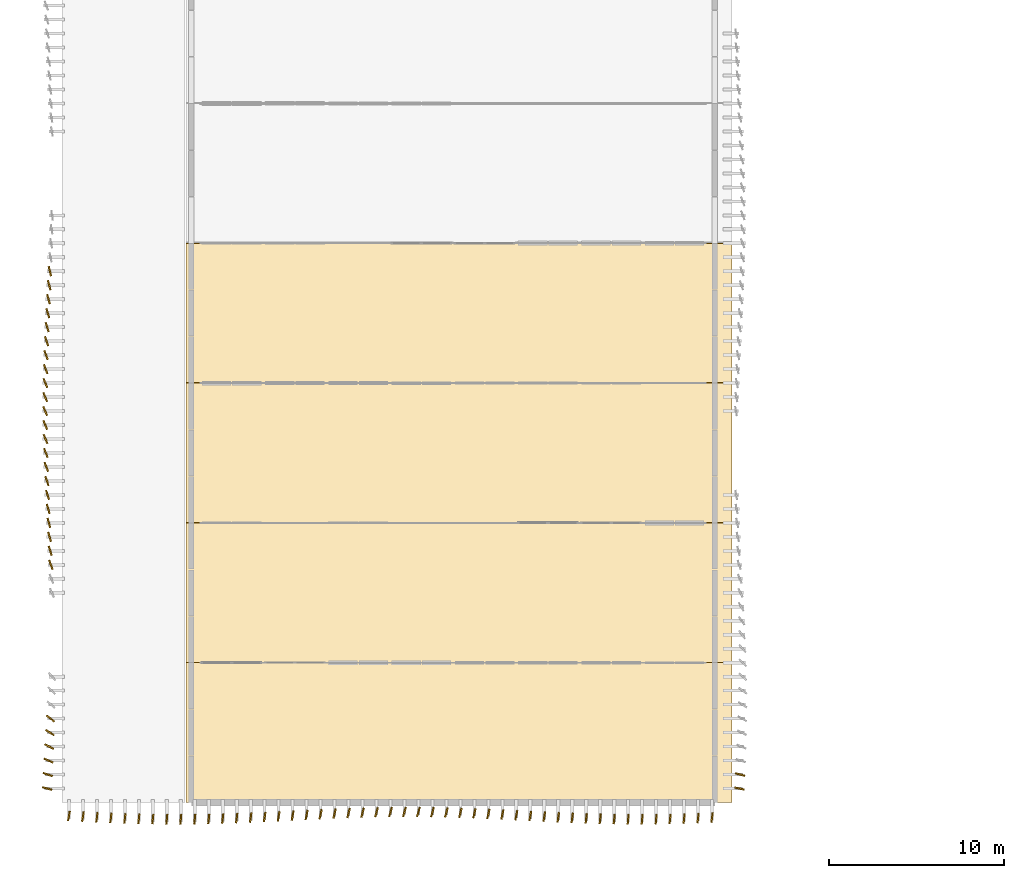
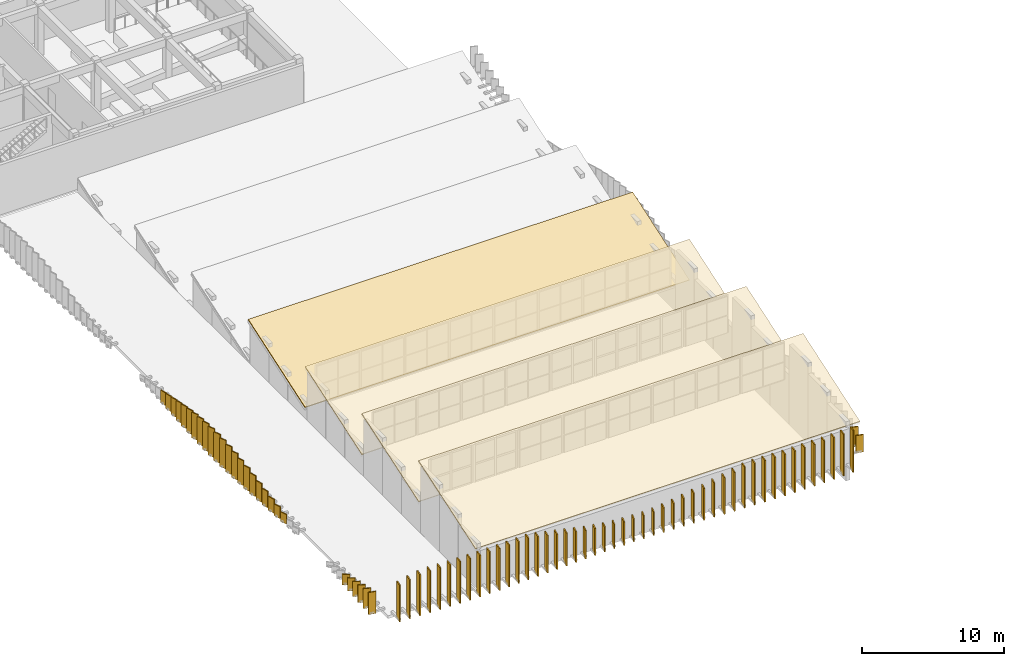
# One storey, part 36 of 45: 81 coverings.
"""IFC4 building model written with IfcOpenShell, lengths in metres."""

from ifc_helpers import new_model, si_unit, direction, frame, origin, origin_2d, place, context, subcontext, project, spatial, polyline, rectangle, outline, extrude, material, layer, layer_set, type_object, element, save


model = new_model("IFC4")

# Units and contexts
model_context = context("Model", 3, precision=1e-05, world=origin(), true_north=direction((0.0, 1.0)))
body_context = subcontext(model_context, "Body", "Model", "MODEL_VIEW")
ifc_project = project(units=[si_unit("LENGTHUNIT", "METRE"), si_unit("AREAUNIT", "SQUARE_METRE"), si_unit("VOLUMEUNIT", "CUBIC_METRE"), si_unit("PLANEANGLEUNIT", "RADIAN"), si_unit("MASSUNIT", "GRAM", prefix="KILO")], contexts=[model_context])

# Site, building, storey
site_placement = place(None, origin())
site = spatial("IfcSite", under=ifc_project, at=site_placement, CompositionType="ELEMENT")
building_placement = place(site_placement, origin())
building = spatial("IfcBuilding", under=site, at=building_placement, Name="Cinchona Park Media Centre", CompositionType="ELEMENT")
storey_placement = place(building_placement, frame((0.0, 0.0, 20.39990234375)))
storey = spatial("IfcBuildingStorey", under=building, at=storey_placement, Name="L04", CompositionType="ELEMENT", Elevation=20.39990234375)

# Coverings
ifc_material_1 = material(Name="Anodised Storm-Resistant Aluminium Fin", Category="aluminium")
ifc_layer_1 = layer(ifc_material_1, 0.090087890625)
ifc_layer_set_1 = layer_set([ifc_layer_1], Name="Anodised Storm-Resistant Aluminium Fin")
covering_type_1 = type_object("IfcCoveringType", Name="CLADDING-FIN01", PredefinedType="CLADDING", material=ifc_layer_set_1)
covering_1_placement = place(storey_placement, frame((7.30908203125, 38.0, 0.0), z_axis=(0.0, 0.0, 1.0), x_axis=(0.225461202458, -0.974252147129, 0.0)))
element("IfcCovering", 1, at=covering_1_placement, inside=storey, type_object=covering_type_1, Name="Twisting Vertical Facade Fin L04", PredefinedType="CLADDING", context=body_context, shape_type="SweptSolid", body=[
    extrude(rectangle(XDim=0.56005859375, YDim=0.090087890625, at=origin_2d()), origin(), (0.0, 0.0, 1.0), 1.097900390625),
])
covering_2_placement = place(storey_placement, frame((7.27001953125, 37.199951171875, 0.0), z_axis=(0.0, 0.0, 1.0), x_axis=(0.247506354292, -0.968886270202, 0.0)))
element("IfcCovering", 2, at=covering_2_placement, inside=storey, type_object=covering_type_1, Name="Twisting Vertical Facade Fin L04", PredefinedType="CLADDING", context=body_context, shape_type="SweptSolid", body=[
    extrude(rectangle(XDim=0.56005859375, YDim=0.090087890625, at=origin_2d()), origin(), (0.0, 0.0, 1.0), 1.298095703125),
])
covering_3_placement = place(storey_placement, frame((7.22998046875, 36.39990234375, 0.0), z_axis=(0.0, 0.0, 1.0), x_axis=(0.270096344686, -0.962833300518, 0.0)))
element("IfcCovering", 3, at=covering_3_placement, inside=storey, type_object=covering_type_1, Name="Twisting Vertical Facade Fin L04", PredefinedType="CLADDING", context=body_context, shape_type="SweptSolid", body=[
    extrude(rectangle(XDim=0.56005859375, YDim=0.090087890625, at=origin_2d()), origin(), (0.0, 0.0, 1.0), 1.501953125),
])
covering_4_placement = place(storey_placement, frame((7.19091796875, 35.60009765625, 0.0), z_axis=(0.0, 0.0, 1.0), x_axis=(0.291870944669, -0.956457710334, 0.0)))
element("IfcCovering", 4, at=covering_4_placement, inside=storey, type_object=covering_type_1, Name="Twisting Vertical Facade Fin L04", PredefinedType="CLADDING", context=body_context, shape_type="SweptSolid", body=[
    extrude(rectangle(XDim=0.56005859375, YDim=0.090087890625, at=origin_2d()), origin(), (0.0, 0.0, 1.0), 1.701904296875),
])
covering_5_placement = place(storey_placement, frame((7.154052734375, 34.800048828125, 0.00048828125), z_axis=(0.0, 0.0, 1.0), x_axis=(0.312500715155, -0.949917524329, 0.0)))
element("IfcCovering", 5, at=covering_5_placement, inside=storey, type_object=covering_type_1, Name="Twisting Vertical Facade Fin L04", PredefinedType="CLADDING", context=body_context, shape_type="SweptSolid", body=[
    extrude(rectangle(XDim=0.56005859375, YDim=0.090087890625, at=origin_2d()), origin(), (0.0, 0.0, 1.0), 1.89111328125),
])
covering_6_placement = place(storey_placement, frame((7.1201171875, 34.0, -0.00048828125), z_axis=(0.0, 0.0, 1.0), x_axis=(0.331008520407, -0.943627765286, 0.0)))
element("IfcCovering", 6, at=covering_6_placement, inside=storey, type_object=covering_type_1, Name="Twisting Vertical Facade Fin L04", PredefinedType="CLADDING", context=body_context, shape_type="SweptSolid", body=[
    extrude(rectangle(XDim=0.56005859375, YDim=0.090087890625, at=origin_2d()), origin(), (0.0, 0.0, 1.0), 2.06298828125),
])
covering_7_placement = place(storey_placement, frame((7.091064453125, 33.199951171875, -0.00048828125), z_axis=(0.0, 0.0, 1.0), x_axis=(0.346771953791, -0.937949472021, 0.0)))
element("IfcCovering", 7, at=covering_7_placement, inside=storey, type_object=covering_type_1, Name="Twisting Vertical Facade Fin L04", PredefinedType="CLADDING", context=body_context, shape_type="SweptSolid", body=[
    extrude(rectangle(XDim=0.56005859375, YDim=0.090087890625, at=origin_2d()), origin(), (0.0, 0.0, 1.0), 2.2109375),
])
covering_8_placement = place(storey_placement, frame((7.068115234375, 32.39990234375, -0.00048828125), z_axis=(0.0, 0.0, 1.0), x_axis=(0.359345396006, -0.933204632634, 0.0)))
element("IfcCovering", 8, at=covering_8_placement, inside=storey, type_object=covering_type_1, Name="Twisting Vertical Facade Fin L04", PredefinedType="CLADDING", context=body_context, shape_type="SweptSolid", body=[
    extrude(rectangle(XDim=0.56005859375, YDim=0.090087890625, at=origin_2d()), origin(), (0.0, 0.0, 1.0), 2.3291015625),
])
covering_9_placement = place(storey_placement, frame((7.052001953125, 31.60009765625, 0.0), z_axis=(0.0, 0.0, 1.0), x_axis=(0.36844908347, -0.929647929536, 0.0)))
element("IfcCovering", 9, at=covering_9_placement, inside=storey, type_object=covering_type_1, Name="Twisting Vertical Facade Fin L04", PredefinedType="CLADDING", context=body_context, shape_type="SweptSolid", body=[
    extrude(rectangle(XDim=0.56005859375, YDim=0.090087890625, at=origin_2d()), origin(), (0.0, 0.0, 1.0), 2.4140625),
])
covering_10_placement = place(storey_placement, frame((7.0419921875, 30.800048828125, 0.000244140625), z_axis=(0.0, 0.0, 1.0), x_axis=(0.373473545352, -0.927640830776, 0.0)))
element("IfcCovering", 10, at=covering_10_placement, inside=storey, type_object=covering_type_1, Name="Twisting Vertical Facade Fin L04", PredefinedType="CLADDING", context=body_context, shape_type="SweptSolid", body=[
    extrude(rectangle(XDim=0.56005859375, YDim=0.090087890625, at=origin_2d()), origin(), (0.0, 0.0, 1.0), 2.4619140625),
])
covering_11_placement = place(storey_placement, frame((7.0400390625, 30.0, 0.00048828125), z_axis=(0.0, 0.0, 1.0), x_axis=(0.374444763601, -0.927249221629, 0.0)))
element("IfcCovering", 11, at=covering_11_placement, inside=storey, type_object=covering_type_1, Name="Twisting Vertical Facade Fin L04", PredefinedType="CLADDING", context=body_context, shape_type="SweptSolid", body=[
    extrude(rectangle(XDim=0.56005859375, YDim=0.090087890625, at=origin_2d()), origin(), (0.0, 0.0, 1.0), 2.470947265625),
])
covering_12_placement = place(storey_placement, frame((7.0458984375, 29.199951171875, 0.000244140625), z_axis=(0.0, 0.0, 1.0), x_axis=(0.37136783555, -0.928485826881, 0.0)))
element("IfcCovering", 12, at=covering_12_placement, inside=storey, type_object=covering_type_1, Name="Twisting Vertical Facade Fin L04", PredefinedType="CLADDING", context=body_context, shape_type="SweptSolid", body=[
    extrude(rectangle(XDim=0.56005859375, YDim=0.090087890625, at=origin_2d()), origin(), (0.0, 0.0, 1.0), 2.44189453125),
])
covering_13_placement = place(storey_placement, frame((7.05908203125, 28.39990234375, 0.0), z_axis=(0.0, 0.0, 1.0), x_axis=(0.364389234658, -0.931246737264, 0.0)))
element("IfcCovering", 13, at=covering_13_placement, inside=storey, type_object=covering_type_1, Name="Twisting Vertical Facade Fin L04", PredefinedType="CLADDING", context=body_context, shape_type="SweptSolid", body=[
    extrude(rectangle(XDim=0.56005859375, YDim=0.090087890625, at=origin_2d()), origin(), (0.0, 0.0, 1.0), 2.3759765625),
])
covering_14_placement = place(storey_placement, frame((7.0791015625, 27.60009765625, 0.000244140625), z_axis=(0.0, 0.0, 1.0), x_axis=(0.353474843779, -0.93544403083, 0.0)))
element("IfcCovering", 14, at=covering_14_placement, inside=storey, type_object=covering_type_1, Name="Twisting Vertical Facade Fin L04", PredefinedType="CLADDING", context=body_context, shape_type="SweptSolid", body=[
    extrude(rectangle(XDim=0.56005859375, YDim=0.090087890625, at=origin_2d()), origin(), (0.0, 0.0, 1.0), 2.27392578125),
])
covering_15_placement = place(storey_placement, frame((7.10498046875, 26.800048828125, 0.0), z_axis=(0.0, 0.0, 1.0), x_axis=(0.339230517808, -0.940703277228, 0.0)))
element("IfcCovering", 15, at=covering_15_placement, inside=storey, type_object=covering_type_1, Name="Twisting Vertical Facade Fin L04", PredefinedType="CLADDING", context=body_context, shape_type="SweptSolid", body=[
    extrude(rectangle(XDim=0.56005859375, YDim=0.090087890625, at=origin_2d()), origin(), (0.0, 0.0, 1.0), 2.139892578125),
])
covering_16_placement = place(storey_placement, frame((7.135986328125, 26.0, 0.0), z_axis=(0.0, 0.0, 1.0), x_axis=(0.321935232675, -0.946761694389, 0.0)))
element("IfcCovering", 16, at=covering_16_placement, inside=storey, type_object=covering_type_1, Name="Twisting Vertical Facade Fin L04", PredefinedType="CLADDING", context=body_context, shape_type="SweptSolid", body=[
    extrude(rectangle(XDim=0.56005859375, YDim=0.090087890625, at=origin_2d()), origin(), (0.0, 0.0, 1.0), 1.97998046875),
])
covering_17_placement = place(storey_placement, frame((7.172119140625, 25.199951171875, 0.00048828125), z_axis=(0.0, 0.0, 1.0), x_axis=(0.30236989075, -0.953190667793, 0.0)))
element("IfcCovering", 17, at=covering_17_placement, inside=storey, type_object=covering_type_1, Name="Twisting Vertical Facade Fin L04", PredefinedType="CLADDING", context=body_context, shape_type="SweptSolid", body=[
    extrude(rectangle(XDim=0.56005859375, YDim=0.090087890625, at=origin_2d()), origin(), (0.0, 0.0, 1.0), 1.799072265625),
])
covering_18_placement = place(storey_placement, frame((7.2099609375, 24.39990234375, -0.00048828125), z_axis=(0.0, 0.0, 1.0), x_axis=(0.281001727065, -0.959707262339, 0.0)))
element("IfcCovering", 18, at=covering_18_placement, inside=storey, type_object=covering_type_1, Name="Twisting Vertical Facade Fin L04", PredefinedType="CLADDING", context=body_context, shape_type="SweptSolid", body=[
    extrude(rectangle(XDim=0.56005859375, YDim=0.090087890625, at=origin_2d()), origin(), (0.0, 0.0, 1.0), 1.60302734375),
])
covering_19_placement = place(storey_placement, frame((7.25, 23.60009765625, 0.000244140625), z_axis=(0.0, 0.0, 1.0), x_axis=(0.258819045103, -0.965925826289, 0.0)))
element("IfcCovering", 19, at=covering_19_placement, inside=storey, type_object=covering_type_1, Name="Twisting Vertical Facade Fin L04", PredefinedType="CLADDING", context=body_context, shape_type="SweptSolid", body=[
    extrude(rectangle(XDim=0.56005859375, YDim=0.090087890625, at=origin_2d()), origin(), (0.0, 0.0, 1.0), 1.39990234375),
])
covering_20_placement = place(storey_placement, frame((7.2900390625, 22.800048828125, -0.00048828125), z_axis=(0.0, 0.0, 1.0), x_axis=(0.277985336053, -0.960585317887, 0.0)))
element("IfcCovering", 20, at=covering_20_placement, inside=storey, type_object=covering_type_1, Name="Twisting Vertical Facade Fin L04", PredefinedType="CLADDING", context=body_context, shape_type="SweptSolid", body=[
    extrude(rectangle(XDim=0.56005859375, YDim=0.090087890625, at=origin_2d()), origin(), (0.0, 0.0, 1.0), 1.197021484375),
])
covering_21_placement = place(storey_placement, frame((7.327880859375, 22.0, 0.00048828125), z_axis=(0.0, 0.0, 1.0), x_axis=(0.306692204733, -0.951808747363, 0.0)))
element("IfcCovering", 21, at=covering_21_placement, inside=storey, type_object=covering_type_1, Name="Twisting Vertical Facade Fin L04", PredefinedType="CLADDING", context=body_context, shape_type="SweptSolid", body=[
    extrude(rectangle(XDim=0.56005859375, YDim=0.090087890625, at=origin_2d()), origin(), (0.0, 0.0, 1.0), 1.0009765625),
])
covering_22_placement = place(storey_placement, frame((7.364013671875, 21.199951171875, 0.0), z_axis=(0.0, 0.0, 1.0), x_axis=(0.336766602676, -0.941588155895, 0.0)))
element("IfcCovering", 22, at=covering_22_placement, inside=storey, type_object=covering_type_1, Name="Twisting Vertical Facade Fin L04", PredefinedType="CLADDING", context=body_context, shape_type="SweptSolid", body=[
    extrude(rectangle(XDim=0.56005859375, YDim=0.090087890625, at=origin_2d()), origin(), (0.0, 0.0, 1.0), 0.820068359375),
])
covering_23_placement = place(storey_placement, frame((7.345947265625, 12.39990234375, 0.00048828125), z_axis=(0.0, 0.0, 1.0), x_axis=(0.801566984871, -0.597904983058, 0.0)))
element("IfcCovering", 23, at=covering_23_placement, inside=storey, type_object=covering_type_1, Name="Twisting Vertical Facade Fin L04", PredefinedType="CLADDING", context=body_context, shape_type="SweptSolid", body=[
    extrude(rectangle(XDim=0.56005859375, YDim=0.090087890625, at=origin_2d()), origin(), (0.0, 0.0, 1.0), 0.908935546875),
])
covering_24_placement = place(storey_placement, frame((7.30908203125, 11.60009765625, 0.0), z_axis=(0.0, 0.0, 1.0), x_axis=(0.843578947371, -0.537005176466, 0.0)))
element("IfcCovering", 24, at=covering_24_placement, inside=storey, type_object=covering_type_1, Name="Twisting Vertical Facade Fin L04", PredefinedType="CLADDING", context=body_context, shape_type="SweptSolid", body=[
    extrude(rectangle(XDim=0.56005859375, YDim=0.090087890625, at=origin_2d()), origin(), (0.0, 0.0, 1.0), 1.097900390625),
])
covering_25_placement = place(storey_placement, frame((7.27001953125, 10.800048828125, 0.0), z_axis=(0.0, 0.0, 1.0), x_axis=(0.881550758248, -0.472089250705, 0.0)))
element("IfcCovering", 25, at=covering_25_placement, inside=storey, type_object=covering_type_1, Name="Twisting Vertical Facade Fin L04", PredefinedType="CLADDING", context=body_context, shape_type="SweptSolid", body=[
    extrude(rectangle(XDim=0.56005859375, YDim=0.090087890625, at=origin_2d()), origin(), (0.0, 0.0, 1.0), 1.298095703125),
])
covering_26_placement = place(storey_placement, frame((7.22998046875, 10.0, 0.0), z_axis=(0.0, 0.0, 1.0), x_axis=(0.914677717139, -0.404183960308, 0.0)))
element("IfcCovering", 26, at=covering_26_placement, inside=storey, type_object=covering_type_1, Name="Twisting Vertical Facade Fin L04", PredefinedType="CLADDING", context=body_context, shape_type="SweptSolid", body=[
    extrude(rectangle(XDim=0.56005859375, YDim=0.090087890625, at=origin_2d()), origin(), (0.0, 0.0, 1.0), 1.501953125),
])
covering_27_placement = place(storey_placement, frame((7.19091796875, 9.199951171875, 0.0), z_axis=(0.0, 0.0, 1.0), x_axis=(0.942466581022, -0.334300379384, 0.0)))
element("IfcCovering", 27, at=covering_27_placement, inside=storey, type_object=covering_type_1, Name="Twisting Vertical Facade Fin L04", PredefinedType="CLADDING", context=body_context, shape_type="SweptSolid", body=[
    extrude(rectangle(XDim=0.56005859375, YDim=0.090087890625, at=origin_2d()), origin(), (0.0, 0.0, 1.0), 1.701904296875),
])
covering_28_placement = place(storey_placement, frame((7.154052734375, 8.39990234375, 0.00048828125), z_axis=(0.0, 0.0, 1.0), x_axis=(0.964603458302, -0.263704698919, 0.0)))
element("IfcCovering", 28, at=covering_28_placement, inside=storey, type_object=covering_type_1, Name="Twisting Vertical Facade Fin L04", PredefinedType="CLADDING", context=body_context, shape_type="SweptSolid", body=[
    extrude(rectangle(XDim=0.56005859375, YDim=0.090087890625, at=origin_2d()), origin(), (0.0, 0.0, 1.0), 1.89111328125),
])
covering_29_placement = place(storey_placement, frame((8.39990234375, 6.830078125, 0.0), z_axis=(0.0, 0.0, 1.0), x_axis=(0.182578735093, 0.983191235463, 0.0)))
element("IfcCovering", 29, at=covering_29_placement, inside=storey, type_object=covering_type_1, Name="Twisting Vertical Facade Fin L04", PredefinedType="CLADDING", context=body_context, shape_type="SweptSolid", body=[
    extrude(rectangle(XDim=0.56005859375, YDim=0.090087890625, at=origin_2d()), origin(), (0.0, 0.0, 1.0), 3.152099609375),
])
covering_30_placement = place(storey_placement, frame((9.199951171875, 6.791015625, 0.0), z_axis=(0.0, 0.0, 1.0), x_axis=(0.166596655404, 0.98602512869, 0.0)))
element("IfcCovering", 30, at=covering_30_placement, inside=storey, type_object=covering_type_1, Name="Twisting Vertical Facade Fin L04", PredefinedType="CLADDING", context=body_context, shape_type="SweptSolid", body=[
    extrude(rectangle(XDim=0.56005859375, YDim=0.090087890625, at=origin_2d()), origin(), (0.0, 0.0, 1.0), 3.35205078125),
])
covering_31_placement = place(storey_placement, frame((10.0, 6.75390625, -0.00048828125), z_axis=(0.0, 0.0, 1.0), x_axis=(0.151433342672, 0.98846747176, 0.0)))
element("IfcCovering", 31, at=covering_31_placement, inside=storey, type_object=covering_type_1, Name="Twisting Vertical Facade Fin L04", PredefinedType="CLADDING", context=body_context, shape_type="SweptSolid", body=[
    extrude(rectangle(XDim=0.56005859375, YDim=0.090087890625, at=origin_2d()), origin(), (0.0, 0.0, 1.0), 3.541015625),
])
for number, where, z_axis, x_axis, name in (
    (32, (10.800048828125, 6.719970703125, 0.0), (0.0, 0.0, 1.0), (0.137617420457, 0.990485459553, 0.0), "Twisting Vertical Facade Fin L04"),
    (33, (11.60009765625, 6.69091796875, 0.0), (0.0, 0.0, 1.0), (0.125679539283, 0.992070891321, 0.0), "Twisting Vertical Facade Fin L04"),
    (34, (12.39990234375, 6.66796875, 0.0), (0.0, 0.0, 1.0), (0.116150698194, 0.993231602049, 0.0), "Twisting Vertical Facade Fin L04"),
    (35, (13.199951171875, 6.652099609375, 0.0), (0.0, 0.0, 1.0), (0.109213859333, 0.994018275953, 0.0), "Twisting Vertical Facade Fin L04"),
    (36, (14.0, 6.64208984375, 0.0), (0.0, 0.0, 1.0), (0.105396307434, 0.994430298402, 0.0), "Twisting Vertical Facade Fin L04"),
    (37, (14.800048828125, 6.639892578125, 0.0), (0.0, 0.0, 1.0), (0.10470203849, 0.994503636562, 0.0), "Twisting Vertical Facade Fin L04"),
    (38, (15.60009765625, 6.64599609375, 0.0), (0.0, 0.0, 1.0), (0.106958224224, 0.994263515508, 0.0), "Twisting Vertical Facade Fin L04"),
    (39, (16.39990234375, 6.658935546875, 0.0), (0.0, 0.0, 1.0), (0.112336115762, 0.99367026578, 0.0), "Twisting Vertical Facade Fin L04"),
    (40, (17.199951171875, 6.678955078125, 0.0), (0.0, 0.0, 1.0), (0.120656628871, 0.992694302346, 0.0), "Twisting Vertical Facade Fin L04"),
    (41, (18.0, 6.705078125, 0.0), (0.0, 0.0, 1.0), (0.131391341269, 0.991330578283, 0.0), "Twisting Vertical Facade Fin L04"),
    (42, (18.800048828125, 6.736083984375, 0.0), (0.0, 0.0, 1.0), (0.144356201001, 0.989525789069, 0.0), "Twisting Vertical Facade Fin L04"),
):
    element("IfcCovering", number, at=place(storey_placement, frame(where, z_axis=z_axis, x_axis=x_axis)), inside=storey, type_object=covering_type_1, Name=name, PredefinedType="CLADDING", context=body_context, shape_type="SweptSolid", body=[
        extrude(rectangle(XDim=0.56005859375, YDim=0.090087890625, at=origin_2d()), origin(), (0.0, 0.0, 1.0), 3.60009765625),
    ])
covering_32_placement = place(storey_placement, frame((19.60009765625, 6.77197265625, -0.00048828125), z_axis=(0.0, 0.0, 1.0), x_axis=(0.158847373537, 0.987303150973, 0.0)))
element("IfcCovering", 43, at=covering_32_placement, inside=storey, type_object=covering_type_1, Name="Twisting Vertical Facade Fin L04", PredefinedType="CLADDING", context=body_context, shape_type="SweptSolid", body=[
    extrude(rectangle(XDim=0.56005859375, YDim=0.090087890625, at=origin_2d()), origin(), (0.0, 0.0, 1.0), 3.448974609375),
])
covering_33_placement = place(storey_placement, frame((20.39990234375, 6.81005859375, -0.00048828125), z_axis=(0.0, 0.0, 1.0), x_axis=(0.174507518327, 0.984655841422, 0.0)))
element("IfcCovering", 44, at=covering_33_placement, inside=storey, type_object=covering_type_1, Name="Twisting Vertical Facade Fin L04", PredefinedType="CLADDING", context=body_context, shape_type="SweptSolid", body=[
    extrude(rectangle(XDim=0.56005859375, YDim=0.090087890625, at=origin_2d()), origin(), (0.0, 0.0, 1.0), 3.2529296875),
])
covering_34_placement = place(storey_placement, frame((21.199951171875, 6.85009765625, 0.0), z_axis=(0.0, 0.0, 1.0), x_axis=(0.190808995377, 0.981627183448, 0.0)))
element("IfcCovering", 45, at=covering_34_placement, inside=storey, type_object=covering_type_1, Name="Twisting Vertical Facade Fin L04", PredefinedType="CLADDING", context=body_context, shape_type="SweptSolid", body=[
    extrude(rectangle(XDim=0.56005859375, YDim=0.090087890625, at=origin_2d()), origin(), (0.0, 0.0, 1.0), 3.050048828125),
])
covering_35_placement = place(storey_placement, frame((22.0, 6.889892578125, -0.00048828125), z_axis=(0.0, 0.0, 1.0), x_axis=(0.207058016949, 0.978328665438, 0.0)))
element("IfcCovering", 46, at=covering_35_placement, inside=storey, type_object=covering_type_1, Name="Twisting Vertical Facade Fin L04", PredefinedType="CLADDING", context=body_context, shape_type="SweptSolid", body=[
    extrude(rectangle(XDim=0.56005859375, YDim=0.090087890625, at=origin_2d()), origin(), (0.0, 0.0, 1.0), 2.846923828125),
])
covering_36_placement = place(storey_placement, frame((22.800048828125, 6.927978515625, -0.000244140625), z_axis=(0.0, 0.0, 1.0), x_axis=(0.222569549971, 0.974916814618, 0.0)))
element("IfcCovering", 47, at=covering_36_placement, inside=storey, type_object=covering_type_1, Name="Twisting Vertical Facade Fin L04", PredefinedType="CLADDING", context=body_context, shape_type="SweptSolid", body=[
    extrude(rectangle(XDim=0.56005859375, YDim=0.090087890625, at=origin_2d()), origin(), (0.0, 0.0, 1.0), 2.65087890625),
])
covering_37_placement = place(storey_placement, frame((23.60009765625, 6.964111328125, 0.0), z_axis=(0.0, 0.0, 1.0), x_axis=(0.236838146066, 0.971549119998, 0.0)))
element("IfcCovering", 48, at=covering_37_placement, inside=storey, type_object=covering_type_1, Name="Twisting Vertical Facade Fin L04", PredefinedType="CLADDING", context=body_context, shape_type="SweptSolid", body=[
    extrude(rectangle(XDim=0.56005859375, YDim=0.090087890625, at=origin_2d()), origin(), (0.0, 0.0, 1.0), 2.469970703125),
])
covering_38_placement = place(storey_placement, frame((24.39990234375, 6.9951171875, 0.0), z_axis=(0.0, 0.0, 1.0), x_axis=(0.249535040626, 0.96836576948, 0.0)))
element("IfcCovering", 49, at=covering_38_placement, inside=storey, type_object=covering_type_1, Name="Twisting Vertical Facade Fin L04", PredefinedType="CLADDING", context=body_context, shape_type="SweptSolid", body=[
    extrude(rectangle(XDim=0.56005859375, YDim=0.090087890625, at=origin_2d()), origin(), (0.0, 0.0, 1.0), 2.31005859375),
])
covering_39_placement = place(storey_placement, frame((25.199951171875, 7.02099609375, 0.0), z_axis=(0.0, 0.0, 1.0), x_axis=(0.259998952669, 0.96560889837, 0.0)))
element("IfcCovering", 50, at=covering_39_placement, inside=storey, type_object=covering_type_1, Name="Twisting Vertical Facade Fin L04", PredefinedType="CLADDING", context=body_context, shape_type="SweptSolid", body=[
    extrude(rectangle(XDim=0.56005859375, YDim=0.090087890625, at=origin_2d()), origin(), (0.0, 0.0, 1.0), 2.176025390625),
])
covering_40_placement = place(storey_placement, frame((26.0, 7.041015625, 0.0), z_axis=(0.0, 0.0, 1.0), x_axis=(0.268079200424, 0.963396876837, 0.0)))
element("IfcCovering", 51, at=covering_40_placement, inside=storey, type_object=covering_type_1, Name="Twisting Vertical Facade Fin L04", PredefinedType="CLADDING", context=body_context, shape_type="SweptSolid", body=[
    extrude(rectangle(XDim=0.56005859375, YDim=0.090087890625, at=origin_2d()), origin(), (0.0, 0.0, 1.0), 2.073974609375),
])
covering_41_placement = place(storey_placement, frame((26.800048828125, 7.053955078125, 0.0), z_axis=(0.0, 0.0, 1.0), x_axis=(0.273287729889, 0.961932334778, 0.0)))
element("IfcCovering", 52, at=covering_41_placement, inside=storey, type_object=covering_type_1, Name="Twisting Vertical Facade Fin L04", PredefinedType="CLADDING", context=body_context, shape_type="SweptSolid", body=[
    extrude(rectangle(XDim=0.56005859375, YDim=0.090087890625, at=origin_2d()), origin(), (0.0, 0.0, 1.0), 2.008056640625),
])
covering_42_placement = place(storey_placement, frame((27.60009765625, 7.06005859375, -0.00048828125), z_axis=(0.0, 0.0, 1.0), x_axis=(0.275469579804, 0.961309789091, 0.0)))
element("IfcCovering", 53, at=covering_42_placement, inside=storey, type_object=covering_type_1, Name="Twisting Vertical Facade Fin L04", PredefinedType="CLADDING", context=body_context, shape_type="SweptSolid", body=[
    extrude(rectangle(XDim=0.56005859375, YDim=0.090087890625, at=origin_2d()), origin(), (0.0, 0.0, 1.0), 1.97900390625),
])
covering_43_placement = place(storey_placement, frame((28.39990234375, 7.05810546875, 0.0), z_axis=(0.0, 0.0, 1.0), x_axis=(0.27479839189, 0.961501868857, 0.0)))
element("IfcCovering", 54, at=covering_43_placement, inside=storey, type_object=covering_type_1, Name="Twisting Vertical Facade Fin L04", PredefinedType="CLADDING", context=body_context, shape_type="SweptSolid", body=[
    extrude(rectangle(XDim=0.56005859375, YDim=0.090087890625, at=origin_2d()), origin(), (0.0, 0.0, 1.0), 1.988037109375),
])
covering_44_placement = place(storey_placement, frame((29.199951171875, 7.048095703125, 0.0), z_axis=(0.0, 0.0, 1.0), x_axis=(0.271104473079, 0.962549928407, 0.0)))
element("IfcCovering", 55, at=covering_44_placement, inside=storey, type_object=covering_type_1, Name="Twisting Vertical Facade Fin L04", PredefinedType="CLADDING", context=body_context, shape_type="SweptSolid", body=[
    extrude(rectangle(XDim=0.56005859375, YDim=0.090087890625, at=origin_2d()), origin(), (0.0, 0.0, 1.0), 2.035888671875),
])
covering_45_placement = place(storey_placement, frame((30.0, 7.031982421875, -0.00048828125), z_axis=(0.0, 0.0, 1.0), x_axis=(0.264378054854, 0.964419122639, 0.0)))
element("IfcCovering", 56, at=covering_45_placement, inside=storey, type_object=covering_type_1, Name="Twisting Vertical Facade Fin L04", PredefinedType="CLADDING", context=body_context, shape_type="SweptSolid", body=[
    extrude(rectangle(XDim=0.56005859375, YDim=0.090087890625, at=origin_2d()), origin(), (0.0, 0.0, 1.0), 2.12109375),
])
covering_46_placement = place(storey_placement, frame((30.800048828125, 7.009033203125, 0.00048828125), z_axis=(0.0, 0.0, 1.0), x_axis=(0.255108257352, 0.966912497091, 0.0)))
element("IfcCovering", 57, at=covering_46_placement, inside=storey, type_object=covering_type_1, Name="Twisting Vertical Facade Fin L04", PredefinedType="CLADDING", context=body_context, shape_type="SweptSolid", body=[
    extrude(rectangle(XDim=0.56005859375, YDim=0.090087890625, at=origin_2d()), origin(), (0.0, 0.0, 1.0), 2.239013671875),
])
covering_47_placement = place(storey_placement, frame((31.60009765625, 6.97998046875, -0.00048828125), z_axis=(0.0, 0.0, 1.0), x_axis=(0.243445733477, 0.969914519353, 0.0)))
element("IfcCovering", 58, at=covering_47_placement, inside=storey, type_object=covering_type_1, Name="Twisting Vertical Facade Fin L04", PredefinedType="CLADDING", context=body_context, shape_type="SweptSolid", body=[
    extrude(rectangle(XDim=0.56005859375, YDim=0.090087890625, at=origin_2d()), origin(), (0.0, 0.0, 1.0), 2.386962890625),
])
covering_48_placement = place(storey_placement, frame((32.39990234375, 6.946044921875, -0.00048828125), z_axis=(0.0, 0.0, 1.0), x_axis=(0.22987988193, 0.973219009208, 0.0)))
element("IfcCovering", 59, at=covering_48_placement, inside=storey, type_object=covering_type_1, Name="Twisting Vertical Facade Fin L04", PredefinedType="CLADDING", context=body_context, shape_type="SweptSolid", body=[
    extrude(rectangle(XDim=0.56005859375, YDim=0.090087890625, at=origin_2d()), origin(), (0.0, 0.0, 1.0), 2.55908203125),
])
covering_49_placement = place(storey_placement, frame((33.199951171875, 6.908935546875, 0.0), z_axis=(0.0, 0.0, 1.0), x_axis=(0.214905785365, 0.976634785074, 0.0)))
element("IfcCovering", 60, at=covering_49_placement, inside=storey, type_object=covering_type_1, Name="Twisting Vertical Facade Fin L04", PredefinedType="CLADDING", context=body_context, shape_type="SweptSolid", body=[
    extrude(rectangle(XDim=0.56005859375, YDim=0.090087890625, at=origin_2d()), origin(), (0.0, 0.0, 1.0), 2.748046875),
])
covering_50_placement = place(storey_placement, frame((34.0, 6.8701171875, 0.0), z_axis=(0.0, 0.0, 1.0), x_axis=(0.199025864028, 0.979994237457, 0.0)))
element("IfcCovering", 61, at=covering_50_placement, inside=storey, type_object=covering_type_1, Name="Twisting Vertical Facade Fin L04", PredefinedType="CLADDING", context=body_context, shape_type="SweptSolid", body=[
    extrude(rectangle(XDim=0.56005859375, YDim=0.090087890625, at=origin_2d()), origin(), (0.0, 0.0, 1.0), 2.947998046875),
])
covering_51_placement = place(storey_placement, frame((34.800048828125, 6.830078125, 0.0), z_axis=(0.0, 0.0, 1.0), x_axis=(0.182578735093, 0.983191235463, 0.0)))
element("IfcCovering", 62, at=covering_51_placement, inside=storey, type_object=covering_type_1, Name="Twisting Vertical Facade Fin L04", PredefinedType="CLADDING", context=body_context, shape_type="SweptSolid", body=[
    extrude(rectangle(XDim=0.56005859375, YDim=0.090087890625, at=origin_2d()), origin(), (0.0, 0.0, 1.0), 3.152099609375),
])
covering_52_placement = place(storey_placement, frame((35.60009765625, 6.791015625, 0.0), z_axis=(0.0, 0.0, 1.0), x_axis=(0.166596655404, 0.98602512869, 0.0)))
element("IfcCovering", 63, at=covering_52_placement, inside=storey, type_object=covering_type_1, Name="Twisting Vertical Facade Fin L04", PredefinedType="CLADDING", context=body_context, shape_type="SweptSolid", body=[
    extrude(rectangle(XDim=0.56005859375, YDim=0.090087890625, at=origin_2d()), origin(), (0.0, 0.0, 1.0), 3.35205078125),
])
covering_53_placement = place(storey_placement, frame((36.39990234375, 6.75390625, -0.00048828125), z_axis=(0.0, 0.0, 1.0), x_axis=(0.151433342672, 0.98846747176, 0.0)))
element("IfcCovering", 64, at=covering_53_placement, inside=storey, type_object=covering_type_1, Name="Twisting Vertical Facade Fin L04", PredefinedType="CLADDING", context=body_context, shape_type="SweptSolid", body=[
    extrude(rectangle(XDim=0.56005859375, YDim=0.090087890625, at=origin_2d()), origin(), (0.0, 0.0, 1.0), 3.541015625),
])
for number, where, z_axis, x_axis, name in (
    (65, (37.199951171875, 6.719970703125, 0.0), (0.0, 0.0, 1.0), (0.137617420457, 0.990485459553, 0.0), "Twisting Vertical Facade Fin L04"),
    (66, (38.0, 6.69091796875, 0.0), (0.0, 0.0, 1.0), (0.125679539283, 0.992070891321, 0.0), "Twisting Vertical Facade Fin L04"),
    (67, (38.800048828125, 6.66796875, 0.0), (0.0, 0.0, 1.0), (0.116150698194, 0.993231602049, 0.0), "Twisting Vertical Facade Fin L04"),
    (68, (39.60009765625, 6.652099609375, 0.0), (0.0, 0.0, 1.0), (0.109213859333, 0.994018275953, 0.0), "Twisting Vertical Facade Fin L04"),
    (69, (40.39990234375, 6.64208984375, 0.0), (0.0, 0.0, 1.0), (0.105396307434, 0.994430298402, 0.0), "Twisting Vertical Facade Fin L04"),
    (70, (41.199951171875, 6.639892578125, 0.0), (0.0, 0.0, 1.0), (0.10470203849, 0.994503636562, 0.0), "Twisting Vertical Facade Fin L04"),
    (71, (42.0, 6.64599609375, 0.0), (0.0, 0.0, 1.0), (0.106958224224, 0.994263515508, 0.0), "Twisting Vertical Facade Fin L04"),
    (72, (42.800048828125, 6.658935546875, 0.0), (0.0, 0.0, 1.0), (0.112336115762, 0.99367026578, 0.0), "Twisting Vertical Facade Fin L04"),
    (73, (43.60009765625, 6.678955078125, 0.0), (0.0, 0.0, 1.0), (0.120656628871, 0.992694302346, 0.0), "Twisting Vertical Facade Fin L04"),
    (74, (44.39990234375, 6.705078125, 0.0), (0.0, 0.0, 1.0), (0.131391341269, 0.991330578283, 0.0), "Twisting Vertical Facade Fin L04"),
    (75, (45.199951171875, 6.736083984375, 0.0), (0.0, 0.0, 1.0), (0.144356201001, 0.989525789069, 0.0), "Twisting Vertical Facade Fin L04"),
):
    element("IfcCovering", number, at=place(storey_placement, frame(where, z_axis=z_axis, x_axis=x_axis)), inside=storey, type_object=covering_type_1, Name=name, PredefinedType="CLADDING", context=body_context, shape_type="SweptSolid", body=[
        extrude(rectangle(XDim=0.56005859375, YDim=0.090087890625, at=origin_2d()), origin(), (0.0, 0.0, 1.0), 3.60009765625),
    ])
covering_54_placement = place(storey_placement, frame((46.77001953125, 8.39990234375, 0.0), z_axis=(0.0, 0.0, 1.0), x_axis=(-0.978616819224, 0.205691811048, 0.0)))
element("IfcCovering", 76, at=covering_54_placement, inside=storey, type_object=covering_type_1, Name="Twisting Vertical Facade Fin L04", PredefinedType="CLADDING", context=body_context, shape_type="SweptSolid", body=[
    extrude(rectangle(XDim=0.56005859375, YDim=0.090087890625, at=origin_2d()), origin(), (0.0, 0.0, 1.0), 1.501953125),
])
covering_55_placement = place(storey_placement, frame((46.80908203125, 9.199951171875, 0.0), z_axis=(0.0, 0.0, 1.0), x_axis=(-0.963068637394, 0.269256011385, 0.0)))
element("IfcCovering", 77, at=covering_55_placement, inside=storey, type_object=covering_type_1, Name="Twisting Vertical Facade Fin L04", PredefinedType="CLADDING", context=body_context, shape_type="SweptSolid", body=[
    extrude(rectangle(XDim=0.56005859375, YDim=0.090087890625, at=origin_2d()), origin(), (0.0, 0.0, 1.0), 1.701904296875),
])
ifc_material_2 = material(Name="Standing Seam Insulated Steel Roofing", Category="steel")
ifc_layer_2 = layer(ifc_material_2, 0.080078125)
ifc_layer_set_2 = layer_set([ifc_layer_2], Name="Standing Seam Insulated Steel Roofing")
covering_type_2 = type_object("IfcCoveringType", Name="COVERING-ROOF01", PredefinedType="ROOFING", material=ifc_layer_set_2)
for number, where, z_axis, x_axis, name in (
    (78, (15.10009765625, 7.60009765625, 3.297119140625), (0.0, -0.319773452474, 0.947494031165), (1.0, 0.0, 0.0), "Standing Seam Roof Covering V1 Bay 1"),
    (79, (15.10009765625, 15.60009765625, 2.4970703125), (0.0, -0.319773452474, 0.947494031165), (1.0, 0.0, 0.0), "Standing Seam Roof Covering V1 Bay 2"),
):
    element("IfcCovering", number, at=place(storey_placement, frame(where, z_axis=z_axis, x_axis=x_axis)), inside=storey, type_object=covering_type_2, Name=name, PredefinedType="ROOFING", context=body_context, shape_type="SweptSolid", body=[
        extrude(outline(polyline([(0.0, 0.0), (31.25, 0.0), (31.25, 8.443324957059819), (0.0, 8.443324957059819), (0.0, 0.0)])), origin(), (0.0, 0.0, -1.0), 0.080078125),
    ])
covering_56_placement = place(storey_placement, frame((15.10009765625, 23.60009765625, 1.697021484375), z_axis=(0.0, -0.319799410609, 0.947485270057), x_axis=(1.0, 0.0, 0.0)))
element("IfcCovering", 80, at=covering_56_placement, inside=storey, type_object=covering_type_2, Name="Standing Seam Roof Covering V1 Bay 3", PredefinedType="ROOFING", context=body_context, shape_type="SweptSolid", body=[
    extrude(outline(polyline([(0.0, 0.0), (31.25, 0.0), (31.25, 8.443403029919095), (0.0, 8.443403029919095), (0.0, 0.0)])), origin(), (0.0, 0.0, -1.0), 0.080078125),
])
covering_57_placement = place(storey_placement, frame((15.10009765625, 31.60009765625, 0.897216796875), z_axis=(0.0, -0.319773452474, 0.947494031165), x_axis=(1.0, 0.0, 0.0)))
element("IfcCovering", 81, at=covering_57_placement, inside=storey, type_object=covering_type_2, Name="Standing Seam Roof Covering V1 Bay 4", PredefinedType="ROOFING", context=body_context, shape_type="SweptSolid", body=[
    extrude(outline(polyline([(0.0, 0.0), (31.25, 0.0), (31.25, 8.443324957059819), (0.0, 8.443324957059819), (0.0, 0.0)])), origin(), (0.0, 0.0, -1.0), 0.080078125),
])

save(model, "model.ifc")
